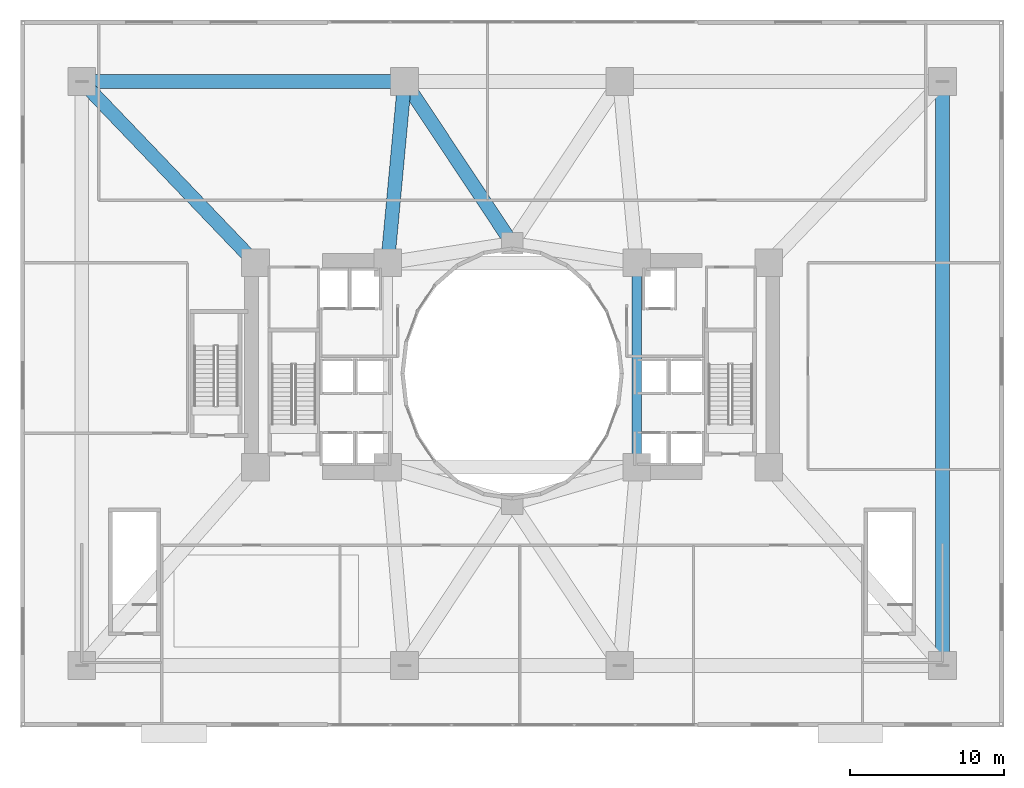
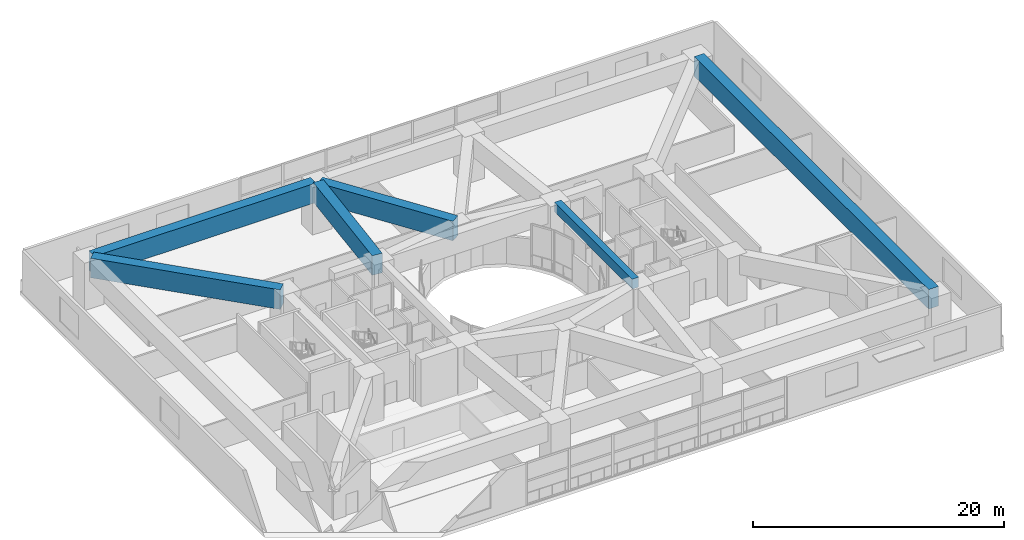
# One storey, part 12 of 27: 6 beams.
"""IFC4 building model written with IfcOpenShell, lengths in metres."""

from ifc_helpers import new_model, si_unit, direction, frame, origin, origin_2d, place, context, subcontext, project, spatial, rectangle, extrude, material, material_profile, profile_set, type_object, element, save


model = new_model("IFC4")

# Units and contexts
model_context = context("Model", 3, precision=1e-05, world=origin(), true_north=direction((0.0, 1.0)))
body_context = subcontext(model_context, "Body", "Model", "MODEL_VIEW")
ifc_project = project(units=[si_unit("LENGTHUNIT", "METRE"), si_unit("AREAUNIT", "SQUARE_METRE"), si_unit("VOLUMEUNIT", "CUBIC_METRE"), si_unit("PLANEANGLEUNIT", "RADIAN"), si_unit("MASSUNIT", "GRAM", prefix="KILO")], contexts=[model_context])

# Site, building, storey
site_placement = place(None, origin())
site = spatial("IfcSite", under=ifc_project, at=site_placement, CompositionType="ELEMENT")
building_placement = place(site_placement, origin())
building = spatial("IfcBuilding", under=site, at=building_placement, Name="Solvane Sanctuary Tower", CompositionType="ELEMENT")
storey_placement = place(building_placement, frame((0.0, 0.0, 23.0)))
storey = spatial("IfcBuildingStorey", under=building, at=storey_placement, Name="L06", CompositionType="ELEMENT", Elevation=23.0)

# Beams
ifc_material_1 = material(Name="Concrete C70/85", Category="concrete")
ifc_material_profile_1 = material_profile(ifc_material_1, rectangle(XDim=0.60009765625, YDim=0.949951171875, at=origin_2d()), Name="RC600X950")
ifc_profile_set_1 = profile_set([ifc_material_profile_1], Name="Concrete C70/85")
beam_type_1 = type_object("IfcBeamType", Name="Beam B-COUPLE RC600X950", PredefinedType="LINTEL", material=ifc_profile_set_1)
beam_1_placement = place(storey_placement, frame((40.10009765625, 17.35009765625, 4.125), z_axis=(0.0, 1.0, 0.0), x_axis=(-1.0, 0.0, 0.0)))
element("IfcBeam", 1, at=beam_1_placement, inside=storey, type_object=beam_type_1, Name="L06 East Core Coupling Lintel", PredefinedType="LINTEL", context=body_context, shape_type="SweptSolid", body=[
    extrude(rectangle(XDim=0.60009765625, YDim=0.949951171875, at=origin_2d()), origin(), (0.0, 0.0, 1.0), 12.39990234375),
])
ifc_material_2 = material(Name="Concrete C60/75", Category="concrete")
ifc_material_profile_2 = material_profile(ifc_material_2, rectangle(XDim=0.89990234375, YDim=1.89990234375, at=origin_2d()), Name="RC900X1900")
ifc_profile_set_2 = profile_set([ifc_material_profile_2], Name="Concrete C60/75")
beam_type_2 = type_object("IfcBeamType", Name="Beam B-XFER-POD RC900X1900", PredefinedType="BEAM", material=ifc_profile_set_2)
beam_2_placement = place(storey_placement, frame((60.0, 4.300048828125, 3.64990234375), z_axis=(0.0, 1.0, 0.0), x_axis=(-1.0, 0.0, 0.0)))
element("IfcBeam", 2, at=beam_2_placement, inside=storey, type_object=beam_type_2, Name="L06 Podium Transfer Girder XP04", PredefinedType="BEAM", context=body_context, shape_type="SweptSolid", body=[
    extrude(rectangle(XDim=0.89990234375, YDim=1.89990234375, at=origin_2d()), origin(), (0.0, 0.0, 1.0), 37.39990234375),
])
beam_3_placement = place(storey_placement, frame((24.699951171875, 42.0, 3.64990234375), z_axis=(-1.0, 0.0, 0.0), x_axis=(0.0, -1.0, 0.0)))
element("IfcBeam", 3, at=beam_3_placement, inside=storey, type_object=beam_type_2, Name="L06 Podium Transfer Girder XP07", PredefinedType="BEAM", context=body_context, shape_type="SweptSolid", body=[
    extrude(rectangle(XDim=0.89990234375, YDim=1.89990234375, at=origin_2d()), origin(), (0.0, 0.0, 1.0), 20.39990234375),
])
beam_4_placement = place(storey_placement, frame((4.20751953125, 41.783203125, 3.64990234375), z_axis=(0.69164554297, -0.722237109881, 0.0), x_axis=(0.722237109881, 0.69164554297, 0.0)))
element("IfcBeam", 4, at=beam_4_placement, inside=storey, type_object=beam_type_2, Name="L06 Podium Transfer Girder XP15", PredefinedType="BEAM", context=body_context, shape_type="SweptSolid", body=[
    extrude(rectangle(XDim=0.89990234375, YDim=1.89990234375, at=origin_2d()), origin(), (0.0, 0.0, 1.0), 15.73779296875),
])
beam_5_placement = place(storey_placement, frame((24.97216796875, 41.701416015625, 3.64990234375), z_axis=(-0.092828489785, -0.995682113671, 0.0), x_axis=(0.995682113671, -0.092828489785, 0.0)))
element("IfcBeam", 5, at=beam_5_placement, inside=storey, type_object=beam_type_2, Name="L06 Podium Transfer Girder XP16", PredefinedType="BEAM", context=body_context, shape_type="SweptSolid", body=[
    extrude(rectangle(XDim=0.89990234375, YDim=1.89990234375, at=origin_2d()), origin(), (0.0, 0.0, 1.0), 11.251220703125),
])
beam_6_placement = place(storey_placement, frame((25.166015625, 41.75, 3.64990234375), z_axis=(0.553240888306, -0.833021319959, 0.0), x_axis=(0.833021319959, 0.553240888306, 0.0)))
element("IfcBeam", 6, at=beam_6_placement, inside=storey, type_object=beam_type_2, Name="L06 Podium Transfer Girder XP17", PredefinedType="BEAM", context=body_context, shape_type="SweptSolid", body=[
    extrude(rectangle(XDim=0.89990234375, YDim=1.89990234375, at=origin_2d()), origin(), (0.0, 0.0, 1.0), 12.052490234375),
])

save(model, "model.ifc")
